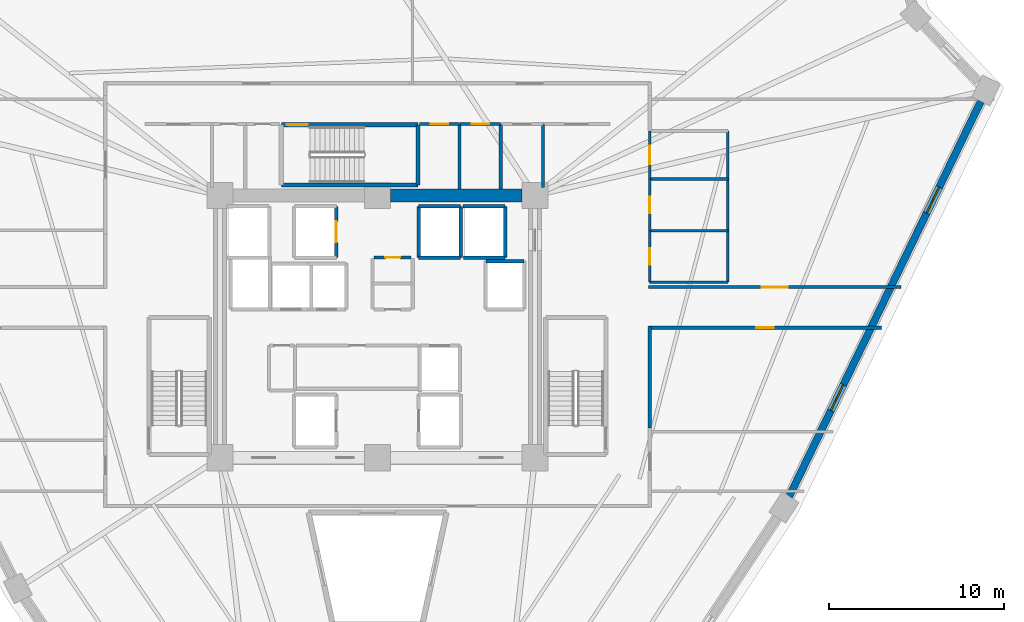
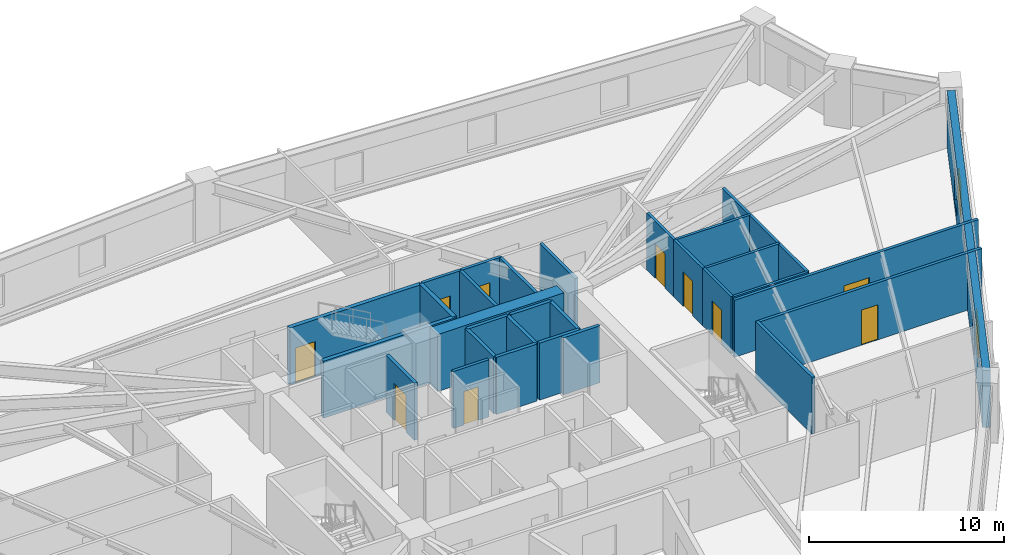
# One storey, part 6 of 8: 30 walls, 10 doors, 2 windows, 12 openings.
"""IFC4 building model written with IfcOpenShell, lengths in metres."""

from ifc_helpers import new_model, si_unit, direction, frame, frame_2d, origin, place, context, subcontext, project, spatial, rectangle, extrude, source, transform, mapped, material, layer, layer_set, type_object, element, fill, save


model = new_model("IFC4")

# Units and contexts
model_context = context("Model", 3, precision=1e-05, world=origin(), true_north=direction((0.0, 1.0)))
body_context = subcontext(model_context, "Body", "Model", "MODEL_VIEW")
ifc_project = project(units=[si_unit("LENGTHUNIT", "METRE"), si_unit("AREAUNIT", "SQUARE_METRE"), si_unit("VOLUMEUNIT", "CUBIC_METRE"), si_unit("PLANEANGLEUNIT", "RADIAN"), si_unit("MASSUNIT", "GRAM", prefix="KILO")], contexts=[model_context])

# Site, building, storey
site_placement = place(None, origin())
site = spatial("IfcSite", under=ifc_project, at=site_placement, CompositionType="ELEMENT")
building_placement = place(site_placement, origin())
building = spatial("IfcBuilding", under=site, at=building_placement, Name="Liaohun Quay Tower", CompositionType="ELEMENT")
storey_placement = place(building_placement, frame((0.0, 0.0, 170.25)))
storey = spatial("IfcBuildingStorey", under=building, at=storey_placement, Name="L44", CompositionType="ELEMENT", Elevation=170.25)

# Wall
ifc_material_1 = material(Name="Concrete C60", Category="concrete")
ifc_layer_1 = layer(ifc_material_1, 0.75, Name="Concrete C60", Category="concrete")
ifc_layer_set_1 = layer_set([ifc_layer_1], Name="Concrete C60")
wall_type_1 = type_object("IfcWallType", Name="WAL-COR-Z2", PredefinedType="SHEAR", material=ifc_layer_set_1)
wall_1_placement = place(storey_placement, frame((60.75, 61.5, 0.0), z_axis=(0.0, 0.0, 1.0), x_axis=(1.0, 0.0, 0.0)))
element("IfcWall", 1, at=wall_1_placement, inside=storey, type_object=wall_type_1, Name="L44 Central Core Shear Wall N-E", PredefinedType="SHEAR", context=body_context, shape_type="SweptSolid", body=[
    extrude(rectangle(XDim=7.5, YDim=0.75, at=frame_2d((3.75, 0.0))), origin(), (0.0, 0.0, 1.0), 3.570068359375),
])

# Wall, openings, windows
ifc_material_2 = material(Name="Precast concrete C50 insulated sandwich", Category="concrete")
ifc_layer_2 = layer(ifc_material_2, 0.419921875, Name="Precast concrete C50 insulated sandwich", Category="concrete")
ifc_layer_set_2 = layer_set([ifc_layer_2], Name="Precast concrete C50 insulated sandwich")
wall_type_2 = type_object("IfcWallType", Name="WAL-EXT-Z12", PredefinedType="SOLIDWALL", material=ifc_layer_set_2)
wall_2_placement = place(storey_placement, frame((83.532958984375, 44.29296875, 0.0), z_axis=(0.0, 0.0, 1.0), x_axis=(0.43630023006, 0.899801149838, 0.0)))
wall_2 = element("IfcWall", 2, at=wall_2_placement, inside=storey, type_object=wall_type_2, Name="L44 Brutalist Precast Pier Wall 03", PredefinedType="SOLIDWALL", context=body_context, shape_type="SweptSolid", body=[
    extrude(rectangle(XDim=25.1044921875, YDim=0.419921875, at=frame_2d((12.55224609375, 0.0))), origin(), (0.0, 0.0, 1.0), 3.570068359375),
])
shared_shape_1 = source(origin(), body_context, "Body", "SweptSolid", [
    extrude(rectangle(XDim=1.64990234375, YDim=1.949951171875, at=frame_2d((0.824951171875, 0.97509765625))), frame((0.0, 0.219970703125, 0.0), z_axis=(0.0, -1.0, 0.0), x_axis=(1.0, 0.0, 0.0)), (0.0, 0.0, 1.0), 0.43994140625),
])
opening_1_placement = place(wall_2_placement, frame((5.450927734375, 0.0, 0.550048828125)))
opening_1 = element("IfcOpeningElement", 3, at=opening_1_placement, cuts=wall_2, Name="Opening W02", PredefinedType="OPENING", context=body_context, shape_type="MappedRepresentation", body=[
    mapped(shared_shape_1, transform((0.0, 0.0, 0.0), x_axis=(1.0, 0.0, 0.0), y_axis=(0.0, 1.0, 0.0), z_axis=(0.0, 0.0, 1.0), scale=1.0)),
])
opening_2_placement = place(wall_2_placement, frame((18.0029296875, 0.0, 0.550048828125)))
opening_2 = element("IfcOpeningElement", 4, at=opening_2_placement, cuts=wall_2, Name="Opening W02", PredefinedType="OPENING", context=body_context, shape_type="MappedRepresentation", body=[
    mapped(shared_shape_1, transform((0.0, 0.0, 0.0), x_axis=(1.0, 0.0, 0.0), y_axis=(0.0, 1.0, 0.0), z_axis=(0.0, 0.0, 1.0), scale=1.0)),
])
ifc_material_3 = material(Name="Triple Low-E argon glazing in thermally broken aluminium", Category="aluminium")
window_type = type_object("IfcWindowType", Name="WIN-PUN-Z2", PartitioningType="DOUBLE_PANEL_VERTICAL", PredefinedType="WINDOW", material=ifc_material_3)
shared_shape_2 = source(origin(), body_context, "Body", "SweptSolid", [
    extrude(rectangle(XDim=1.64990234375, YDim=1.949951171875, at=frame_2d((0.824951171875, 0.97509765625))), frame((0.0, 0.030029296875, 0.0), z_axis=(0.0, -1.0, 0.0), x_axis=(1.0, 0.0, 0.0)), (0.0, 0.0, 1.0), 0.06005859375),
])
window_1_placement = place(opening_1_placement, origin())
window_1 = element("IfcWindow", 5, at=window_1_placement, inside=storey, type_object=window_type, Name="L44 Recessed Cold-Climate Punched Window 03-1", OverallHeight=1.949951171875, OverallWidth=1.64990234375, PartitioningType="DOUBLE_PANEL_VERTICAL", PredefinedType="WINDOW", context=body_context, shape_type="MappedRepresentation", body=[
    mapped(shared_shape_2, transform((0.0, 0.0, 0.0), x_axis=(1.0, 0.0, 0.0), y_axis=(0.0, 1.0, 0.0), z_axis=(0.0, 0.0, 1.0), scale=1.0)),
])
fill(opening_1, window_1)
window_2_placement = place(opening_2_placement, origin())
window_2 = element("IfcWindow", 6, at=window_2_placement, inside=storey, type_object=window_type, Name="L44 Recessed Cold-Climate Punched Window 03-3", OverallHeight=1.949951171875, OverallWidth=1.64990234375, PartitioningType="DOUBLE_PANEL_VERTICAL", PredefinedType="WINDOW", context=body_context, shape_type="MappedRepresentation", body=[
    mapped(shared_shape_2, transform((0.0, 0.0, 0.0), x_axis=(1.0, 0.0, 0.0), y_axis=(0.0, 1.0, 0.0), z_axis=(0.0, 0.0, 1.0), scale=1.0)),
])
fill(opening_2, window_2)

# Wall, opening, door
ifc_material_4 = material(Name="Autoclaved aerated concrete blockwork", Category="masonry")
ifc_layer_3 = layer(ifc_material_4, 0.179931640625, Name="Autoclaved aerated concrete blockwork", Category="masonry")
ifc_layer_set_3 = layer_set([ifc_layer_3], Name="Autoclaved aerated concrete blockwork")
wall_type_3 = type_object("IfcWallType", Name="WAL-PRT-COR", PredefinedType="PARTITIONING", material=ifc_layer_set_3)
wall_3_placement = place(storey_placement, frame((59.81005859375, 57.949951171875, 0.0), z_axis=(0.0, 0.0, 1.0), x_axis=(1.0, 0.0, 0.0)))
wall_3 = element("IfcWall", 7, at=wall_3_placement, inside=storey, type_object=wall_type_3, Name="L44 Interior Partition Wall 003", PredefinedType="PARTITIONING", context=body_context, shape_type="SweptSolid", body=[
    extrude(rectangle(XDim=2.10986328125, YDim=0.179931640625, at=frame_2d((1.054931640625, 0.0))), origin(), (0.0, 0.0, 1.0), 3.570068359375),
])
shared_shape_3 = source(origin(), body_context, "Body", "SweptSolid", [
    extrude(rectangle(XDim=0.85009765625, YDim=2.10009765625, at=frame_2d((0.425048828125, 1.050048828125))), frame((0.0, 0.099853515625, 0.0), z_axis=(0.0, -1.0, 0.0), x_axis=(1.0, 0.0, 0.0)), (0.0, 0.0, 1.0), 0.199951171875),
])
opening_3_placement = place(wall_3_placement, frame((0.635009765625, 0.0, 0.0)))
opening_3 = element("IfcOpeningElement", 8, at=opening_3_placement, cuts=wall_3, Name="Opening AD1", PredefinedType="OPENING", context=body_context, shape_type="MappedRepresentation", body=[
    mapped(shared_shape_3, transform((0.0, 0.0, 0.0), x_axis=(1.0, 0.0, 0.0), y_axis=(0.0, 1.0, 0.0), z_axis=(0.0, 0.0, 1.0), scale=1.0)),
])
ifc_material_5 = material(Name="Steel riser inspection fire door", Category="steel")
door_type_1 = type_object("IfcDoorType", Name="DOR-SHF-850", OperationType="NOTDEFINED", PredefinedType="DOOR", material=ifc_material_5)
shared_shape_4 = source(origin(), body_context, "Body", "SweptSolid", [
    extrude(rectangle(XDim=0.85009765625, YDim=2.10009765625, at=frame_2d((0.425048828125, 1.050048828125))), frame((0.0, 0.02490234375, 0.0), z_axis=(0.0, -1.0, 0.0), x_axis=(1.0, 0.0, 0.0)), (0.0, 0.0, 1.0), 0.050048828125),
])
door_1_placement = place(opening_3_placement, origin())
door_1 = element("IfcDoor", 9, at=door_1_placement, inside=storey, type_object=door_type_1, Name="L44 Telecom Comms Closet Door", OperationType="SINGLE_SWING_RIGHT", OverallHeight=2.10009765625, OverallWidth=0.85009765625, PredefinedType="DOOR", context=body_context, shape_type="MappedRepresentation", body=[
    mapped(shared_shape_4, transform((0.0, 0.0, 0.0), x_axis=(1.0, 0.0, 0.0), y_axis=(0.0, 1.0, 0.0), z_axis=(0.0, 0.0, 1.0), scale=1.0)),
])
fill(opening_3, door_1)

wall_4_placement = place(storey_placement, frame((62.389892578125, 65.580078125, 0.0), z_axis=(0.0, 0.0, 1.0), x_axis=(1.0, 0.0, 0.0)))
wall_4 = element("IfcWall", 10, at=wall_4_placement, inside=storey, type_object=wall_type_3, Name="L44 Interior Partition Wall 010", PredefinedType="PARTITIONING", context=body_context, shape_type="SweptSolid", body=[
    extrude(rectangle(XDim=2.2900390625, YDim=0.179931640625, at=frame_2d((1.14501953125, 0.0))), origin(), (0.0, 0.0, 1.0), 3.570068359375),
])
shared_shape_5 = source(origin(), body_context, "Body", "SweptSolid", [
    extrude(rectangle(XDim=1.0, YDim=2.199951171875, at=frame_2d((0.5, 1.10009765625))), frame((0.0, 0.099853515625, 0.0), z_axis=(0.0, -1.0, 0.0), x_axis=(1.0, 0.0, 0.0)), (0.0, 0.0, 1.0), 0.199951171875),
])
opening_4_placement = place(wall_4_placement, frame((0.64501953125, 0.0, 0.0)))
opening_4 = element("IfcOpeningElement", 11, at=opening_4_placement, cuts=wall_4, Name="Opening OD1", PredefinedType="OPENING", context=body_context, shape_type="MappedRepresentation", body=[
    mapped(shared_shape_5, transform((0.0, 0.0, 0.0), x_axis=(1.0, 0.0, 0.0), y_axis=(0.0, 1.0, 0.0), z_axis=(0.0, 0.0, 1.0), scale=1.0)),
])
ifc_material_6 = material(Name="Solid-core oak veneer timber leaf in steel frame", Category="steel")
door_type_2 = type_object("IfcDoorType", Name="DOR-OFF-1000", OperationType="NOTDEFINED", PredefinedType="DOOR", material=ifc_material_6)
shared_shape_6 = source(origin(), body_context, "Body", "SweptSolid", [
    extrude(rectangle(XDim=1.0, YDim=2.199951171875, at=frame_2d((0.5, 1.10009765625))), frame((0.0, 0.02490234375, 0.0), z_axis=(0.0, -1.0, 0.0), x_axis=(1.0, 0.0, 0.0)), (0.0, 0.0, 1.0), 0.050048828125),
])
door_2_placement = place(opening_4_placement, origin())
door_2 = element("IfcDoor", 12, at=door_2_placement, inside=storey, type_object=door_type_2, Name="L44 North-East Mail Store Door", OperationType="SINGLE_SWING_LEFT", OverallHeight=2.199951171875, OverallWidth=1.0, PredefinedType="DOOR", context=body_context, shape_type="MappedRepresentation", body=[
    mapped(shared_shape_6, transform((0.0, 0.0, 0.0), x_axis=(1.0, 0.0, 0.0), y_axis=(0.0, 1.0, 0.0), z_axis=(0.0, 0.0, 1.0), scale=1.0)),
])
fill(opening_4, door_2)

wall_5_placement = place(storey_placement, frame((64.719970703125, 65.580078125, 0.0), z_axis=(0.0, 0.0, 1.0), x_axis=(1.0, 0.0, 0.0)))
wall_5 = element("IfcWall", 13, at=wall_5_placement, inside=storey, type_object=wall_type_3, Name="L44 Interior Partition Wall 011", PredefinedType="PARTITIONING", context=body_context, shape_type="SweptSolid", body=[
    extrude(rectangle(XDim=2.320068359375, YDim=0.179931640625, at=frame_2d((1.16015625, 0.0))), origin(), (0.0, 0.0, 1.0), 3.570068359375),
])
opening_5_placement = place(wall_5_placement, frame((0.659912109375, 0.0, 0.0)))
opening_5 = element("IfcOpeningElement", 14, at=opening_5_placement, cuts=wall_5, Name="Opening OD1", PredefinedType="OPENING", context=body_context, shape_type="MappedRepresentation", body=[
    mapped(shared_shape_5, transform((0.0, 0.0, 0.0), x_axis=(1.0, 0.0, 0.0), y_axis=(0.0, 1.0, 0.0), z_axis=(0.0, 0.0, 1.0), scale=1.0)),
])
door_3_placement = place(opening_5_placement, origin())
door_3 = element("IfcDoor", 15, at=door_3_placement, inside=storey, type_object=door_type_2, Name="L44 North-East Comms Room Door", OperationType="SINGLE_SWING_RIGHT", OverallHeight=2.199951171875, OverallWidth=1.0, PredefinedType="DOOR", context=body_context, shape_type="MappedRepresentation", body=[
    mapped(shared_shape_6, transform((0.0, 0.0, 0.0), x_axis=(1.0, 0.0, 0.0), y_axis=(0.0, 1.0, 0.0), z_axis=(0.0, 0.0, 1.0), scale=1.0)),
])
fill(opening_5, door_3)

wall_6_placement = place(storey_placement, frame((75.489990234375, 56.260009765625, 0.0), z_axis=(0.0, 0.0, 1.0), x_axis=(1.0, 0.0, 0.0)))
wall_6 = element("IfcWall", 16, at=wall_6_placement, inside=storey, type_object=wall_type_3, Name="L44 Interior Partition Wall 015", PredefinedType="PARTITIONING", context=body_context, shape_type="SweptSolid", body=[
    extrude(rectangle(XDim=14.43798828125, YDim=0.179931640625, at=frame_2d((7.218994140625, 0.0))), origin(), (0.0, 0.0, 1.0), 3.570068359375),
])
shared_shape_7 = source(origin(), body_context, "Body", "SweptSolid", [
    extrude(rectangle(XDim=1.5, YDim=2.199951171875, at=frame_2d((0.75, 1.10009765625))), frame((0.0, 0.099853515625, 0.0), z_axis=(0.0, -1.0, 0.0), x_axis=(1.0, 0.0, 0.0)), (0.0, 0.0, 1.0), 0.199951171875),
])
opening_6_placement = place(wall_6_placement, frame((6.468994140625, 0.0, 0.0)))
opening_6 = element("IfcOpeningElement", 17, at=opening_6_placement, cuts=wall_6, Name="Opening OD2", PredefinedType="OPENING", context=body_context, shape_type="MappedRepresentation", body=[
    mapped(shared_shape_7, transform((0.0, 0.0, 0.0), x_axis=(1.0, 0.0, 0.0), y_axis=(0.0, 1.0, 0.0), z_axis=(0.0, 0.0, 1.0), scale=1.0)),
])
ifc_material_7 = material(Name="Acoustic oak veneer double door")
door_type_3 = type_object("IfcDoorType", Name="DOR-OFF-1500", OperationType="DOUBLE_DOOR_SINGLE_SWING", PredefinedType="DOOR", material=ifc_material_7)
shared_shape_8 = source(origin(), body_context, "Body", "SweptSolid", [
    extrude(rectangle(XDim=1.5, YDim=2.199951171875, at=frame_2d((0.75, 1.10009765625))), frame((0.0, 0.02490234375, 0.0), z_axis=(0.0, -1.0, 0.0), x_axis=(1.0, 0.0, 0.0)), (0.0, 0.0, 1.0), 0.050048828125),
])
door_4_placement = place(opening_6_placement, origin())
door_4 = element("IfcDoor", 18, at=door_4_placement, inside=storey, type_object=door_type_3, Name="L44 Technical Reference Library 01 Door", OperationType="DOUBLE_DOOR_SINGLE_SWING", OverallHeight=2.199951171875, OverallWidth=1.5, PredefinedType="DOOR", context=body_context, shape_type="MappedRepresentation", body=[
    mapped(shared_shape_8, transform((0.0, 0.0, 0.0), x_axis=(1.0, 0.0, 0.0), y_axis=(0.0, 1.0, 0.0), z_axis=(0.0, 0.0, 1.0), scale=1.0)),
])
fill(opening_6, door_4)

wall_7_placement = place(storey_placement, frame((88.802978515625, 53.93994140625, 0.0), z_axis=(0.0, 0.0, 1.0), x_axis=(-1.0, 0.0, 0.0)))
wall_7 = element("IfcWall", 19, at=wall_7_placement, inside=storey, type_object=wall_type_3, Name="L44 Interior Partition Wall 024", PredefinedType="PARTITIONING", context=body_context, shape_type="SweptSolid", body=[
    extrude(rectangle(XDim=13.31298828125, YDim=0.179931640625, at=frame_2d((6.656494140625, 0.0))), origin(), (0.0, 0.0, 1.0), 3.570068359375),
])
opening_7_placement = place(wall_7_placement, frame((6.156982421875, 0.0, 0.0)))
opening_7 = element("IfcOpeningElement", 20, at=opening_7_placement, cuts=wall_7, Name="Opening OD1", PredefinedType="OPENING", context=body_context, shape_type="MappedRepresentation", body=[
    mapped(shared_shape_5, transform((0.0, 0.0, 0.0), x_axis=(1.0, 0.0, 0.0), y_axis=(0.0, 1.0, 0.0), z_axis=(0.0, 0.0, 1.0), scale=1.0)),
])
door_5_placement = place(opening_7_placement, origin())
door_5 = element("IfcDoor", 21, at=door_5_placement, inside=storey, type_object=door_type_2, Name="L44 Open-Plan Office Workplace 10 Door", OperationType="SINGLE_SWING_LEFT", OverallHeight=2.199951171875, OverallWidth=1.0, PredefinedType="DOOR", context=body_context, shape_type="MappedRepresentation", body=[
    mapped(shared_shape_6, transform((0.0, 0.0, 0.0), x_axis=(1.0, 0.0, 0.0), y_axis=(0.0, 1.0, 0.0), z_axis=(0.0, 0.0, 1.0), scale=1.0)),
])
fill(opening_7, door_5)

# Walls
for number, where, z_axis, x_axis, name in (
    (22, (64.679931640625, 61.875, 0.0), (0.0, 0.0, 1.0), (0.0, 1.0, 0.0), "L44 Interior Partition Wall 038"),
    (23, (67.0400390625, 61.875, 0.0), (0.0, 0.0, 1.0), (0.0, 1.0, 0.0), "L44 Interior Partition Wall 039"),
):
    element("IfcWall", number, at=place(storey_placement, frame(where, z_axis=z_axis, x_axis=x_axis)), inside=storey, type_object=wall_type_3, Name=name, PredefinedType="PARTITIONING", context=body_context, shape_type="SweptSolid", body=[
        extrude(rectangle(XDim=3.705078125, YDim=0.179931640625, at=frame_2d((1.8525390625, 0.0))), origin(), (0.0, 0.0, 1.0), 3.570068359375),
    ])
wall_8_placement = place(storey_placement, frame((69.4599609375, 61.949951171875, 0.0), z_axis=(0.0, 0.0, 1.0), x_axis=(0.0, 1.0, 0.0)))
element("IfcWall", 24, at=wall_8_placement, inside=storey, type_object=wall_type_3, Name="L44 Interior Partition Wall 040", PredefinedType="PARTITIONING", context=body_context, shape_type="SweptSolid", body=[
    extrude(rectangle(XDim=3.630126953125, YDim=0.179931640625, at=frame_2d((1.81494140625, 0.0))), origin(), (0.0, 0.0, 1.0), 3.570068359375),
])
wall_9_placement = place(storey_placement, frame((75.56005859375, 54.010009765625, 0.0), z_axis=(0.0, 0.0, 1.0), x_axis=(0.0, -1.0, 0.0)))
element("IfcWall", 25, at=wall_9_placement, inside=storey, type_object=wall_type_3, Name="L44 Interior Partition Wall 048", PredefinedType="PARTITIONING", context=body_context, shape_type="SweptSolid", body=[
    extrude(rectangle(XDim=5.794921875, YDim=0.179931640625, at=frame_2d((2.8974609375, 0.0))), origin(), (0.0, 0.0, 1.0), 3.570068359375),
])

# Wall, opening, door
ifc_material_8 = material(Name="Moisture-resistant masonry blockwork", Category="masonry")
ifc_layer_4 = layer(ifc_material_8, 0.159912109375, Name="Moisture-resistant masonry blockwork", Category="masonry")
ifc_layer_set_4 = layer_set([ifc_layer_4], Name="Moisture-resistant masonry blockwork")
wall_type_4 = type_object("IfcWallType", Name="WAL-PRT-WET", PredefinedType="PARTITIONING", material=ifc_layer_set_4)
wall_10_placement = place(storey_placement, frame((75.56005859375, 56.5400390625, 0.0), z_axis=(0.0, 0.0, 1.0), x_axis=(0.0, 1.0, 0.0)))
wall_10 = element("IfcWall", 26, at=wall_10_placement, inside=storey, type_object=wall_type_4, Name="L44 Interior Partition Wall 005", PredefinedType="PARTITIONING", context=body_context, shape_type="SweptSolid", body=[
    extrude(rectangle(XDim=2.93994140625, YDim=0.159912109375, at=frame_2d((1.469970703125, 0.0))), origin(), (0.0, 0.0, 1.0), 3.570068359375),
])
shared_shape_9 = source(origin(), body_context, "Body", "SweptSolid", [
    extrude(rectangle(XDim=0.949951171875, YDim=2.14990234375, at=frame_2d((0.47509765625, 1.074951171875))), frame((0.0, 0.08984375, 0.0), z_axis=(0.0, -1.0, 0.0), x_axis=(1.0, 0.0, 0.0)), (0.0, 0.0, 1.0), 0.179931640625),
])
opening_8_placement = place(wall_10_placement, frame((0.9951171875, 0.0, 0.0)))
opening_8 = element("IfcOpeningElement", 27, at=opening_8_placement, cuts=wall_10, Name="Opening WD1", PredefinedType="OPENING", context=body_context, shape_type="MappedRepresentation", body=[
    mapped(shared_shape_9, transform((0.0, 0.0, 0.0), x_axis=(1.0, 0.0, 0.0), y_axis=(0.0, 1.0, 0.0), z_axis=(0.0, 0.0, 1.0), scale=1.0)),
])
ifc_material_9 = material(Name="Moisture-resistant laminate timber leaf", Category="wood")
door_type_4 = type_object("IfcDoorType", Name="DOR-WC-950", OperationType="NOTDEFINED", PredefinedType="DOOR", material=ifc_material_9)
shared_shape_10 = source(origin(), body_context, "Body", "SweptSolid", [
    extrude(rectangle(XDim=0.949951171875, YDim=2.14990234375, at=frame_2d((0.47509765625, 1.074951171875))), frame((0.0, 0.02490234375, 0.0), z_axis=(0.0, -1.0, 0.0), x_axis=(1.0, 0.0, 0.0)), (0.0, 0.0, 1.0), 0.050048828125),
])
door_6_placement = place(opening_8_placement, origin())
door_6 = element("IfcDoor", 28, at=door_6_placement, inside=storey, type_object=door_type_4, Name="L44 Male Restroom WC Door", OperationType="SINGLE_SWING_RIGHT", OverallHeight=2.14990234375, OverallWidth=0.949951171875, PredefinedType="DOOR", context=body_context, shape_type="MappedRepresentation", body=[
    mapped(shared_shape_10, transform((0.0, 0.0, 0.0), x_axis=(1.0, 0.0, 0.0), y_axis=(0.0, 1.0, 0.0), z_axis=(0.0, 0.0, 1.0), scale=1.0)),
])
fill(opening_8, door_6)

wall_11_placement = place(storey_placement, frame((75.56005859375, 59.47998046875, 0.0), z_axis=(0.0, 0.0, 1.0), x_axis=(0.0, 1.0, 0.0)))
wall_11 = element("IfcWall", 29, at=wall_11_placement, inside=storey, type_object=wall_type_4, Name="L44 Interior Partition Wall 006", PredefinedType="PARTITIONING", context=body_context, shape_type="SweptSolid", body=[
    extrude(rectangle(XDim=2.9599609375, YDim=0.159912109375, at=frame_2d((1.47998046875, 0.0))), origin(), (0.0, 0.0, 1.0), 3.570068359375),
])
opening_9_placement = place(wall_11_placement, frame((1.0048828125, 0.0, 0.0)))
opening_9 = element("IfcOpeningElement", 30, at=opening_9_placement, cuts=wall_11, Name="Opening WD1", PredefinedType="OPENING", context=body_context, shape_type="MappedRepresentation", body=[
    mapped(shared_shape_9, transform((0.0, 0.0, 0.0), x_axis=(1.0, 0.0, 0.0), y_axis=(0.0, 1.0, 0.0), z_axis=(0.0, 0.0, 1.0), scale=1.0)),
])
door_7_placement = place(opening_9_placement, origin())
door_7 = element("IfcDoor", 31, at=door_7_placement, inside=storey, type_object=door_type_4, Name="L44 Female Restroom WC Door", OperationType="SINGLE_SWING_LEFT", OverallHeight=2.14990234375, OverallWidth=0.949951171875, PredefinedType="DOOR", context=body_context, shape_type="MappedRepresentation", body=[
    mapped(shared_shape_10, transform((0.0, 0.0, 0.0), x_axis=(1.0, 0.0, 0.0), y_axis=(0.0, 1.0, 0.0), z_axis=(0.0, 0.0, 1.0), scale=1.0)),
])
fill(opening_9, door_7)

wall_12_placement = place(storey_placement, frame((75.56005859375, 62.43994140625, 0.0), z_axis=(0.0, 0.0, 1.0), x_axis=(0.0, 1.0, 0.0)))
wall_12 = element("IfcWall", 32, at=wall_12_placement, inside=storey, type_object=wall_type_4, Name="L44 Interior Partition Wall 007", PredefinedType="PARTITIONING", context=body_context, shape_type="SweptSolid", body=[
    extrude(rectangle(XDim=2.739990234375, YDim=0.159912109375, at=frame_2d((1.3701171875, 0.0))), origin(), (0.0, 0.0, 1.0), 3.570068359375),
])
shared_shape_11 = source(origin(), body_context, "Body", "SweptSolid", [
    extrude(rectangle(XDim=1.050048828125, YDim=2.14990234375, at=frame_2d((0.52490234375, 1.074951171875))), frame((0.0, 0.08984375, 0.0), z_axis=(0.0, -1.0, 0.0), x_axis=(1.0, 0.0, 0.0)), (0.0, 0.0, 1.0), 0.179931640625),
])
opening_10_placement = place(wall_12_placement, frame((0.844970703125, 0.0, 0.0)))
opening_10 = element("IfcOpeningElement", 33, at=opening_10_placement, cuts=wall_12, Name="Opening WD2", PredefinedType="OPENING", context=body_context, shape_type="MappedRepresentation", body=[
    mapped(shared_shape_11, transform((0.0, 0.0, 0.0), x_axis=(1.0, 0.0, 0.0), y_axis=(0.0, 1.0, 0.0), z_axis=(0.0, 0.0, 1.0), scale=1.0)),
])
ifc_material_10 = material(Name="Accessible outward-swinging laminate door")
door_type_5 = type_object("IfcDoorType", Name="DOR-AWC-1050", OperationType="NOTDEFINED", PredefinedType="DOOR", material=ifc_material_10)
shared_shape_12 = source(origin(), body_context, "Body", "SweptSolid", [
    extrude(rectangle(XDim=1.050048828125, YDim=2.14990234375, at=frame_2d((0.52490234375, 1.074951171875))), frame((0.0, 0.02490234375, 0.0), z_axis=(0.0, -1.0, 0.0), x_axis=(1.0, 0.0, 0.0)), (0.0, 0.0, 1.0), 0.050048828125),
])
door_8_placement = place(opening_10_placement, origin())
door_8 = element("IfcDoor", 34, at=door_8_placement, inside=storey, type_object=door_type_5, Name="L44 Accessible WC Door", OperationType="SINGLE_SWING_RIGHT", OverallHeight=2.14990234375, OverallWidth=1.050048828125, PredefinedType="DOOR", context=body_context, shape_type="MappedRepresentation", body=[
    mapped(shared_shape_12, transform((0.0, 0.0, 0.0), x_axis=(1.0, 0.0, 0.0), y_axis=(0.0, 1.0, 0.0), z_axis=(0.0, 0.0, 1.0), scale=1.0)),
])
fill(opening_10, door_8)

# Walls
wall_13_placement = place(storey_placement, frame((80.02001953125, 56.5400390625, 0.0), z_axis=(0.0, 0.0, 1.0), x_axis=(0.0, 1.0, 0.0)))
element("IfcWall", 35, at=wall_13_placement, inside=storey, type_object=wall_type_4, Name="L44 Interior Partition Wall 031", PredefinedType="PARTITIONING", context=body_context, shape_type="SweptSolid", body=[
    extrude(rectangle(XDim=8.639892578125, YDim=0.159912109375, at=frame_2d((4.31982421875, 0.0))), origin(), (0.0, 0.0, 1.0), 3.570068359375),
])
for number, where, z_axis, x_axis, name in (
    (36, (75.56005859375, 56.5400390625, 0.0), (0.0, 0.0, 1.0), (1.0, 0.0, 0.0), "L44 Interior Partition Wall 032"),
    (37, (75.56005859375, 59.47998046875, 0.0), (0.0, 0.0, 1.0), (1.0, 0.0, 0.0), "L44 Interior Partition Wall 033"),
    (38, (75.56005859375, 62.43994140625, 0.0), (0.0, 0.0, 1.0), (1.0, 0.0, 0.0), "L44 Interior Partition Wall 034"),
):
    element("IfcWall", number, at=place(storey_placement, frame(where, z_axis=z_axis, x_axis=x_axis)), inside=storey, type_object=wall_type_4, Name=name, PredefinedType="PARTITIONING", context=body_context, shape_type="SweptSolid", body=[
        extrude(rectangle(XDim=4.4599609375, YDim=0.159912109375, at=frame_2d((2.22998046875, 0.0))), origin(), (0.0, 0.0, 1.0), 3.570068359375),
    ])
ifc_material_11 = material(Name="Concrete C50", Category="concrete")
ifc_layer_5 = layer(ifc_material_11, 0.239990234375, Name="Concrete C50", Category="concrete")
ifc_layer_set_5 = layer_set([ifc_layer_5], Name="Concrete C50")
wall_type_5 = type_object("IfcWallType", Name="WAL-SHF-200", PredefinedType="SOLIDWALL", material=ifc_layer_set_5)
wall_14_placement = place(storey_placement, frame((54.5, 62.10009765625, 0.0), z_axis=(0.0, 0.0, 1.0), x_axis=(1.0, 0.0, 0.0)))
element("IfcWall", 39, at=wall_14_placement, inside=storey, type_object=wall_type_5, Name="L44 Stairwell ST-3 Structural Core Wall S", PredefinedType="SOLIDWALL", context=body_context, shape_type="SweptSolid", body=[
    extrude(rectangle(XDim=7.820068359375, YDim=0.239990234375, at=frame_2d((3.91015625, 0.0))), origin(), (0.0, 0.0, 1.0), 3.570068359375),
])
wall_15_placement = place(storey_placement, frame((62.320068359375, 62.10009765625, 0.0), z_axis=(0.0, 0.0, 1.0), x_axis=(0.0, 1.0, 0.0)))
element("IfcWall", 40, at=wall_15_placement, inside=storey, type_object=wall_type_5, Name="L44 Stairwell ST-3 Structural Core Wall E", PredefinedType="SOLIDWALL", context=body_context, shape_type="SweptSolid", body=[
    extrude(rectangle(XDim=3.43994140625, YDim=0.239990234375, at=frame_2d((1.719970703125, 0.0))), origin(), (0.0, 0.0, 1.0), 3.570068359375),
])

# Wall, opening, door
wall_16_placement = place(storey_placement, frame((62.320068359375, 65.5400390625, 0.0), z_axis=(0.0, 0.0, 1.0), x_axis=(-1.0, 0.0, 0.0)))
wall_16 = element("IfcWall", 41, at=wall_16_placement, inside=storey, type_object=wall_type_5, Name="L44 Stairwell ST-3 Structural Core Wall N", PredefinedType="SOLIDWALL", context=body_context, shape_type="SweptSolid", body=[
    extrude(rectangle(XDim=7.820068359375, YDim=0.239990234375, at=frame_2d((3.91015625, 0.0))), origin(), (0.0, 0.0, 1.0), 3.570068359375),
])
shared_shape_13 = source(origin(), body_context, "Body", "SweptSolid", [
    extrude(rectangle(XDim=1.199951171875, YDim=2.199951171875, at=frame_2d((0.60009765625, 1.10009765625))), frame((0.0, 0.1298828125, 0.0), z_axis=(0.0, -1.0, 0.0), x_axis=(1.0, 0.0, 0.0)), (0.0, 0.0, 1.0), 0.260009765625),
])
opening_11_placement = place(wall_16_placement, frame((6.300048828125, 0.0, 0.0)))
opening_11 = element("IfcOpeningElement", 42, at=opening_11_placement, cuts=wall_16, Name="Opening SD1", PredefinedType="OPENING", context=body_context, shape_type="MappedRepresentation", body=[
    mapped(shared_shape_13, transform((0.0, 0.0, 0.0), x_axis=(1.0, 0.0, 0.0), y_axis=(0.0, 1.0, 0.0), z_axis=(0.0, 0.0, 1.0), scale=1.0)),
])
ifc_material_12 = material(Name="Galvanised steel fire door", Category="steel")
door_type_6 = type_object("IfcDoorType", Name="DOR-STR-1200", OperationType="NOTDEFINED", PredefinedType="DOOR", material=ifc_material_12)
shared_shape_14 = source(origin(), body_context, "Body", "SweptSolid", [
    extrude(rectangle(XDim=1.199951171875, YDim=2.199951171875, at=frame_2d((0.60009765625, 1.10009765625))), frame((0.0, 0.02490234375, 0.0), z_axis=(0.0, -1.0, 0.0), x_axis=(1.0, 0.0, 0.0)), (0.0, 0.0, 1.0), 0.050048828125),
])
door_9_placement = place(opening_11_placement, origin())
door_9 = element("IfcDoor", 43, at=door_9_placement, inside=storey, type_object=door_type_6, Name="L44 Protected Stair ST-3 Fire Door", OperationType="SINGLE_SWING_RIGHT", OverallHeight=2.199951171875, OverallWidth=1.199951171875, PredefinedType="DOOR", context=body_context, shape_type="MappedRepresentation", body=[
    mapped(shared_shape_14, transform((0.0, 0.0, 0.0), x_axis=(1.0, 0.0, 0.0), y_axis=(0.0, 1.0, 0.0), z_axis=(0.0, 0.0, 1.0), scale=1.0)),
])
fill(opening_11, door_9)

wall_17_placement = place(storey_placement, frame((57.64990234375, 57.949951171875, 0.0), z_axis=(0.0, 0.0, 1.0), x_axis=(0.0, 1.0, 0.0)))
wall_17 = element("IfcWall", 44, at=wall_17_placement, inside=storey, type_object=wall_type_5, Name="L44 Lift FF-03 Hoistway Wall E", PredefinedType="SOLIDWALL", context=body_context, shape_type="SweptSolid", body=[
    extrude(rectangle(XDim=2.929931640625, YDim=0.199951171875, at=frame_2d((1.46484375, 0.0))), origin(), (0.0, 0.0, 1.0), 3.570068359375),
])
shared_shape_15 = source(origin(), body_context, "Body", "SweptSolid", [
    extrude(rectangle(XDim=1.199951171875, YDim=2.300048828125, at=frame_2d((0.60009765625, 1.14990234375))), frame((0.0, 0.10986328125, 0.0), z_axis=(0.0, -1.0, 0.0), x_axis=(1.0, 0.0, 0.0)), (0.0, 0.0, 1.0), 0.219970703125),
])
opening_12_placement = place(wall_17_placement, frame((0.864990234375, 0.0, 0.0)))
opening_12 = element("IfcOpeningElement", 45, at=opening_12_placement, cuts=wall_17, Name="Opening LD2", PredefinedType="OPENING", context=body_context, shape_type="MappedRepresentation", body=[
    mapped(shared_shape_15, transform((0.0, 0.0, 0.0), x_axis=(1.0, 0.0, 0.0), y_axis=(0.0, 1.0, 0.0), z_axis=(0.0, 0.0, 1.0), scale=1.0)),
])
ifc_material_13 = material(Name="Brushed stainless steel stretcher landing door", Category="steel")
door_type_7 = type_object("IfcDoorType", Name="DOR-LFT-1200", OperationType="SLIDING_TO_LEFT", PredefinedType="DOOR", material=ifc_material_13)
shared_shape_16 = source(origin(), body_context, "Body", "SweptSolid", [
    extrude(rectangle(XDim=1.199951171875, YDim=2.300048828125, at=frame_2d((0.60009765625, 1.14990234375))), frame((0.0, 0.02490234375, 0.0), z_axis=(0.0, -1.0, 0.0), x_axis=(1.0, 0.0, 0.0)), (0.0, 0.0, 1.0), 0.050048828125),
])
door_10_placement = place(opening_12_placement, origin())
door_10 = element("IfcDoor", 46, at=door_10_placement, inside=storey, type_object=door_type_7, Name="L44 Lift FF-03 Sliding Landing Door", OperationType="SLIDING_TO_LEFT", OverallHeight=2.300048828125, OverallWidth=1.199951171875, PredefinedType="DOOR", context=body_context, shape_type="MappedRepresentation", body=[
    mapped(shared_shape_16, transform((0.0, 0.0, 0.0), x_axis=(1.0, 0.0, 0.0), y_axis=(0.0, 1.0, 0.0), z_axis=(0.0, 0.0, 1.0), scale=1.0)),
])
fill(opening_12, door_10)

# Walls
wall_18_placement = place(storey_placement, frame((62.35009765625, 57.949951171875, 0.0), z_axis=(0.0, 0.0, 1.0), x_axis=(1.0, 0.0, 0.0)))
element("IfcWall", 47, at=wall_18_placement, inside=storey, type_object=wall_type_5, Name="L44 Lift OB-01 Hoistway Wall S", PredefinedType="SOLIDWALL", context=body_context, shape_type="SweptSolid", body=[
    extrude(rectangle(XDim=2.39990234375, YDim=0.199951171875, at=frame_2d((1.199951171875, 0.0))), origin(), (0.0, 0.0, 1.0), 3.570068359375),
])
wall_19_placement = place(storey_placement, frame((64.75, 57.949951171875, 0.0), z_axis=(0.0, 0.0, 1.0), x_axis=(0.0, 1.0, 0.0)))
element("IfcWall", 48, at=wall_19_placement, inside=storey, type_object=wall_type_5, Name="L44 Lift OB-01 Hoistway Wall E", PredefinedType="SOLIDWALL", context=body_context, shape_type="SweptSolid", body=[
    extrude(rectangle(XDim=2.929931640625, YDim=0.199951171875, at=frame_2d((1.46484375, 0.0))), origin(), (0.0, 0.0, 1.0), 3.570068359375),
])
wall_20_placement = place(storey_placement, frame((64.75, 60.8798828125, 0.0), z_axis=(0.0, 0.0, 1.0), x_axis=(-1.0, 0.0, 0.0)))
element("IfcWall", 49, at=wall_20_placement, inside=storey, type_object=wall_type_5, Name="L44 Lift OB-01 Hoistway Wall N", PredefinedType="SOLIDWALL", context=body_context, shape_type="SweptSolid", body=[
    extrude(rectangle(XDim=2.39990234375, YDim=0.199951171875, at=frame_2d((1.199951171875, 0.0))), origin(), (0.0, 0.0, 1.0), 3.570068359375),
])
wall_21_placement = place(storey_placement, frame((62.35009765625, 60.8798828125, 0.0), z_axis=(0.0, 0.0, 1.0), x_axis=(0.0, -1.0, 0.0)))
element("IfcWall", 50, at=wall_21_placement, inside=storey, type_object=wall_type_5, Name="L44 Lift OB-01 Hoistway Wall W", PredefinedType="SOLIDWALL", context=body_context, shape_type="SweptSolid", body=[
    extrude(rectangle(XDim=2.929931640625, YDim=0.199951171875, at=frame_2d((1.46484375, 0.0))), origin(), (0.0, 0.0, 1.0), 3.570068359375),
])
wall_22_placement = place(storey_placement, frame((64.89990234375, 57.949951171875, 0.0), z_axis=(0.0, 0.0, 1.0), x_axis=(1.0, 0.0, 0.0)))
element("IfcWall", 51, at=wall_22_placement, inside=storey, type_object=wall_type_5, Name="L44 Lift OB-02 Hoistway Wall S", PredefinedType="SOLIDWALL", context=body_context, shape_type="SweptSolid", body=[
    extrude(rectangle(XDim=2.400146484375, YDim=0.199951171875, at=frame_2d((1.2001953125, 0.0))), origin(), (0.0, 0.0, 1.0), 3.570068359375),
])
wall_23_placement = place(storey_placement, frame((67.300048828125, 57.949951171875, 0.0), z_axis=(0.0, 0.0, 1.0), x_axis=(0.0, 1.0, 0.0)))
element("IfcWall", 52, at=wall_23_placement, inside=storey, type_object=wall_type_5, Name="L44 Lift OB-02 Hoistway Wall E", PredefinedType="SOLIDWALL", context=body_context, shape_type="SweptSolid", body=[
    extrude(rectangle(XDim=2.929931640625, YDim=0.199951171875, at=frame_2d((1.46484375, 0.0))), origin(), (0.0, 0.0, 1.0), 3.570068359375),
])
wall_24_placement = place(storey_placement, frame((67.300048828125, 60.8798828125, 0.0), z_axis=(0.0, 0.0, 1.0), x_axis=(-1.0, 0.0, 0.0)))
element("IfcWall", 53, at=wall_24_placement, inside=storey, type_object=wall_type_5, Name="L44 Lift OB-02 Hoistway Wall N", PredefinedType="SOLIDWALL", context=body_context, shape_type="SweptSolid", body=[
    extrude(rectangle(XDim=2.400146484375, YDim=0.199951171875, at=frame_2d((1.2001953125, 0.0))), origin(), (0.0, 0.0, 1.0), 3.570068359375),
])
wall_25_placement = place(storey_placement, frame((68.3798828125, 57.75, 0.0), z_axis=(0.0, 0.0, 1.0), x_axis=(-1.0, 0.0, 0.0)))
element("IfcWall", 54, at=wall_25_placement, inside=storey, type_object=wall_type_5, Name="L44 Lift SH-03 Hoistway Wall N", PredefinedType="SOLIDWALL", context=body_context, shape_type="SweptSolid", body=[
    extrude(rectangle(XDim=2.179931640625, YDim=0.199951171875, at=frame_2d((1.08984375, 0.0))), origin(), (0.0, 0.0, 1.0), 3.570068359375),
])

save(model, "model.ifc")
